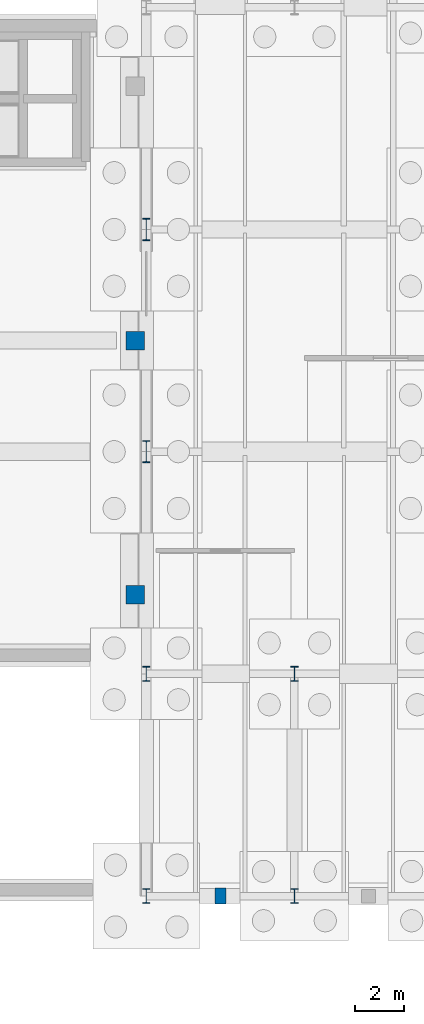
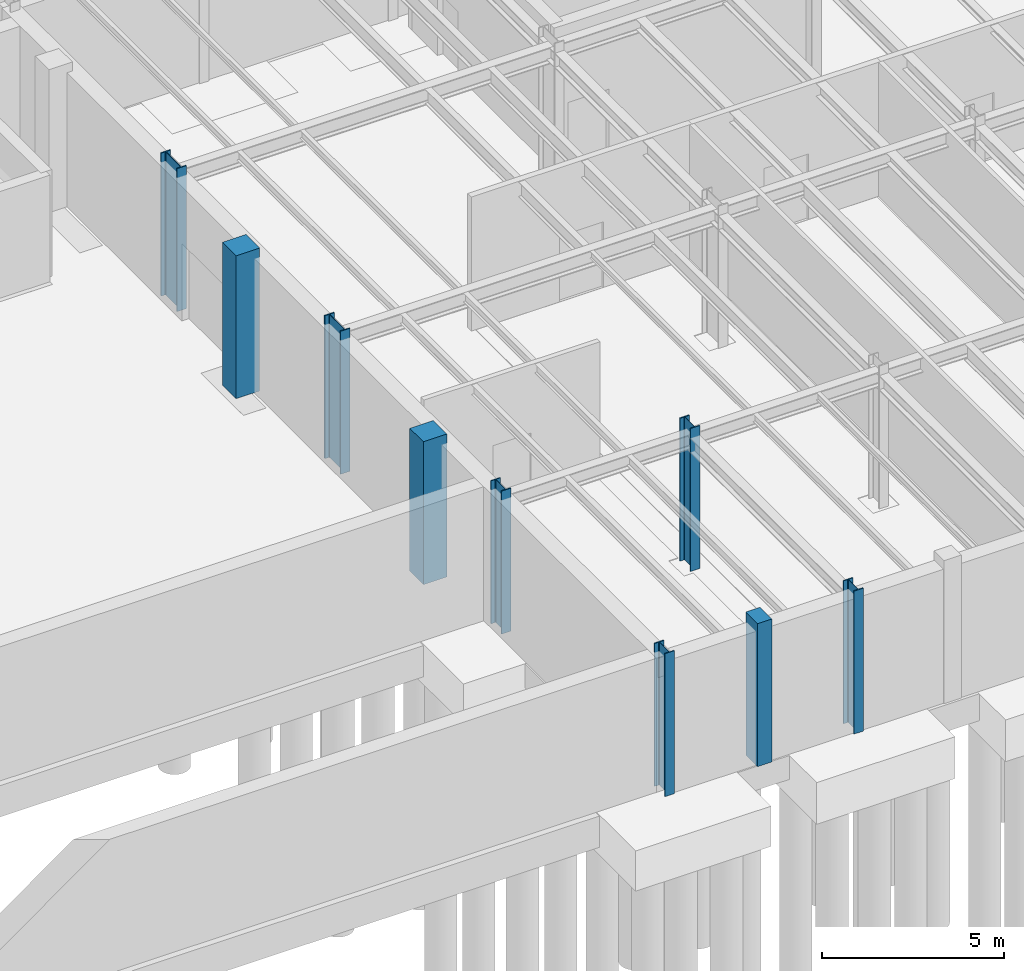
# One storey, part 14 of 59: 9 columns.
"""IFC4 building model written with IfcOpenShell, lengths in metres."""

from ifc_helpers import new_model, si_unit, direction, frame, origin, origin_2d, place, context, subcontext, project, spatial, rectangle, i_section, extrude, material, material_profile, profile_set, type_object, element, save


model = new_model("IFC4")

# Units and contexts
model_context = context("Model", 3, precision=1e-05, world=origin(), true_north=direction((0.0, 1.0)))
body_context = subcontext(model_context, "Body", "Model", "MODEL_VIEW")
ifc_project = project(units=[si_unit("LENGTHUNIT", "METRE"), si_unit("AREAUNIT", "SQUARE_METRE"), si_unit("VOLUMEUNIT", "CUBIC_METRE"), si_unit("PLANEANGLEUNIT", "RADIAN"), si_unit("MASSUNIT", "GRAM", prefix="KILO")], contexts=[model_context])

# Site, building, storey
site_placement = place(None, origin())
site = spatial("IfcSite", under=ifc_project, at=site_placement, CompositionType="ELEMENT")
building_placement = place(site_placement, origin())
building = spatial("IfcBuilding", under=site, at=building_placement, Name="Montealbar Specialist Clinic", CompositionType="ELEMENT")
storey_placement = place(building_placement, frame((0.0, 0.0, -4.800048828125)))
storey = spatial("IfcBuildingStorey", under=building, at=storey_placement, Name="B01", CompositionType="ELEMENT", Elevation=-4.800048828125)

# Columns
ifc_material_1 = material(Name="Steel S355", Category="steel")
ifc_material_profile_1 = material_profile(ifc_material_1, i_section(OverallWidth=0.300048828125, OverallDepth=0.89990234375, WebThickness=0.0185546875, FlangeThickness=0.034912109375, FilletRadius=0.030029296875, at=origin_2d()), Name="HEB 900", Category="steel")
ifc_profile_set_1 = profile_set([ifc_material_profile_1], Name="Steel S355")
column_type_1 = type_object("IfcColumnType", Name="COL-S-B01-MEGA-EXT", PredefinedType="COLUMN", material=ifc_profile_set_1)
for number, where, z_axis, x_axis, name in (
    (1, (54.0, 18.0, 0.0), (0.0, 0.0, 1.0), (1.0, 0.0, 0.0), "Column 7/C B01"),
    (2, (54.0, 27.0, 0.0), (0.0, 0.0, 1.0), (1.0, 0.0, 0.0), "Column 7/D B01"),
):
    element("IfcColumn", number, at=place(storey_placement, frame(where, z_axis=z_axis, x_axis=x_axis)), inside=storey, type_object=column_type_1, Name=name, PredefinedType="COLUMN", context=body_context, shape_type="SweptSolid", body=[
        extrude(i_section(OverallWidth=0.300048828125, OverallDepth=0.89990234375, WebThickness=0.0185546875, FlangeThickness=0.034912109375, FilletRadius=0.030029296875, at=origin_2d()), origin(), (0.0, 0.0, 1.0), 4.800048828125),
    ])
ifc_material_profile_2 = material_profile(ifc_material_1, i_section(OverallWidth=0.300048828125, OverallDepth=0.60009765625, WebThickness=0.015380859375, FlangeThickness=0.030029296875, FilletRadius=0.027099609375, at=origin_2d()), Name="HEB 600", Category="steel")
ifc_profile_set_2 = profile_set([ifc_material_profile_2], Name="Steel S355")
column_type_2 = type_object("IfcColumnType", Name="COL-S-B01-STD", PredefinedType="COLUMN", material=ifc_profile_set_2)
column_1_placement = place(storey_placement, frame((60.0, 9.0, 0.0), z_axis=(0.0, 0.0, 1.0), x_axis=(1.0, 0.0, 0.0)))
element("IfcColumn", 3, at=column_1_placement, inside=storey, type_object=column_type_2, Name="Column 8/B B01", PredefinedType="COLUMN", context=body_context, shape_type="SweptSolid", body=[
    extrude(i_section(OverallWidth=0.300048828125, OverallDepth=0.60009765625, WebThickness=0.015380859375, FlangeThickness=0.030029296875, FilletRadius=0.027099609375, at=origin_2d()), origin(), (0.0, 0.0, 1.0), 4.800048828125),
])
ifc_material_profile_3 = material_profile(ifc_material_1, i_section(OverallWidth=0.300048828125, OverallDepth=0.60009765625, WebThickness=0.015380859375, FlangeThickness=0.030029296875, FilletRadius=0.027099609375, at=origin_2d()), Name="HEB 600", Category="steel")
ifc_profile_set_3 = profile_set([ifc_material_profile_3], Name="Steel S355")
column_type_3 = type_object("IfcColumnType", Name="COL-S-B01-STD-EXT", PredefinedType="COLUMN", material=ifc_profile_set_3)
for number, where, z_axis, x_axis, name in (
    (4, (54.0, 0.0, 0.0), (0.0, 0.0, 1.0), (1.0, 0.0, 0.0), "Column 7/A B01"),
    (5, (54.0, 9.0, 0.0), (0.0, 0.0, 1.0), (1.0, 0.0, 0.0), "Column 7/B B01"),
    (6, (60.0, 0.0, 0.0), (0.0, 0.0, 1.0), (1.0, 0.0, 0.0), "Column 8/A B01"),
):
    element("IfcColumn", number, at=place(storey_placement, frame(where, z_axis=z_axis, x_axis=x_axis)), inside=storey, type_object=column_type_3, Name=name, PredefinedType="COLUMN", context=body_context, shape_type="SweptSolid", body=[
        extrude(i_section(OverallWidth=0.300048828125, OverallDepth=0.60009765625, WebThickness=0.015380859375, FlangeThickness=0.030029296875, FilletRadius=0.027099609375, at=origin_2d()), origin(), (0.0, 0.0, 1.0), 4.800048828125),
    ])
ifc_material_2 = material(Name="Guadarrama granite ashlar", Category="masonry")
ifc_material_profile_4 = material_profile(ifc_material_2, rectangle(XDim=0.449951171875, YDim=0.64990234375, at=origin_2d()), Name="GRANITE PILASTER 450x650", Category="masonry")
ifc_profile_set_4 = profile_set([ifc_material_profile_4], Name="Guadarrama granite ashlar")
column_type_4 = type_object("IfcColumnType", Name="PIL-GRANITE-A-INT", PredefinedType="PILASTER", material=ifc_profile_set_4)
column_2_placement = place(storey_placement, frame((57.0, 0.0, 0.0), z_axis=(0.0, 0.0, 1.0), x_axis=(1.0, 0.0, 0.0)))
element("IfcColumn", 7, at=column_2_placement, inside=storey, type_object=column_type_4, Name="Column P1/A B01", PredefinedType="PILASTER", context=body_context, shape_type="SweptSolid", body=[
    extrude(rectangle(XDim=0.449951171875, YDim=0.64990234375, at=origin_2d()), origin(), (0.0, 0.0, 1.0), 4.800048828125),
])
ifc_material_profile_5 = material_profile(ifc_material_2, rectangle(XDim=0.75, YDim=0.75, at=origin_2d()), Name="GRANITE PILASTER 750x750", Category="masonry")
ifc_profile_set_5 = profile_set([ifc_material_profile_5], Name="Guadarrama granite ashlar")
column_type_5 = type_object("IfcColumnType", Name="PIL-PM-GIANT-INT", PredefinedType="PILASTER", material=ifc_profile_set_5)
for number, where, z_axis, x_axis, name in (
    (8, (53.550048828125, 12.199951171875, 0.0), (0.0, 0.0, 1.0), (1.0, 0.0, 0.0), "Column MP1/MC1 B01"),
    (9, (53.550048828125, 22.5, 0.0), (0.0, 0.0, 1.0), (1.0, 0.0, 0.0), "Column MP2/MC2 B01"),
):
    element("IfcColumn", number, at=place(storey_placement, frame(where, z_axis=z_axis, x_axis=x_axis)), inside=storey, type_object=column_type_5, Name=name, PredefinedType="PILASTER", context=body_context, shape_type="SweptSolid", body=[
        extrude(rectangle(XDim=0.75, YDim=0.75, at=origin_2d()), origin(), (0.0, 0.0, 1.0), 4.800048828125),
    ])

save(model, "model.ifc")
